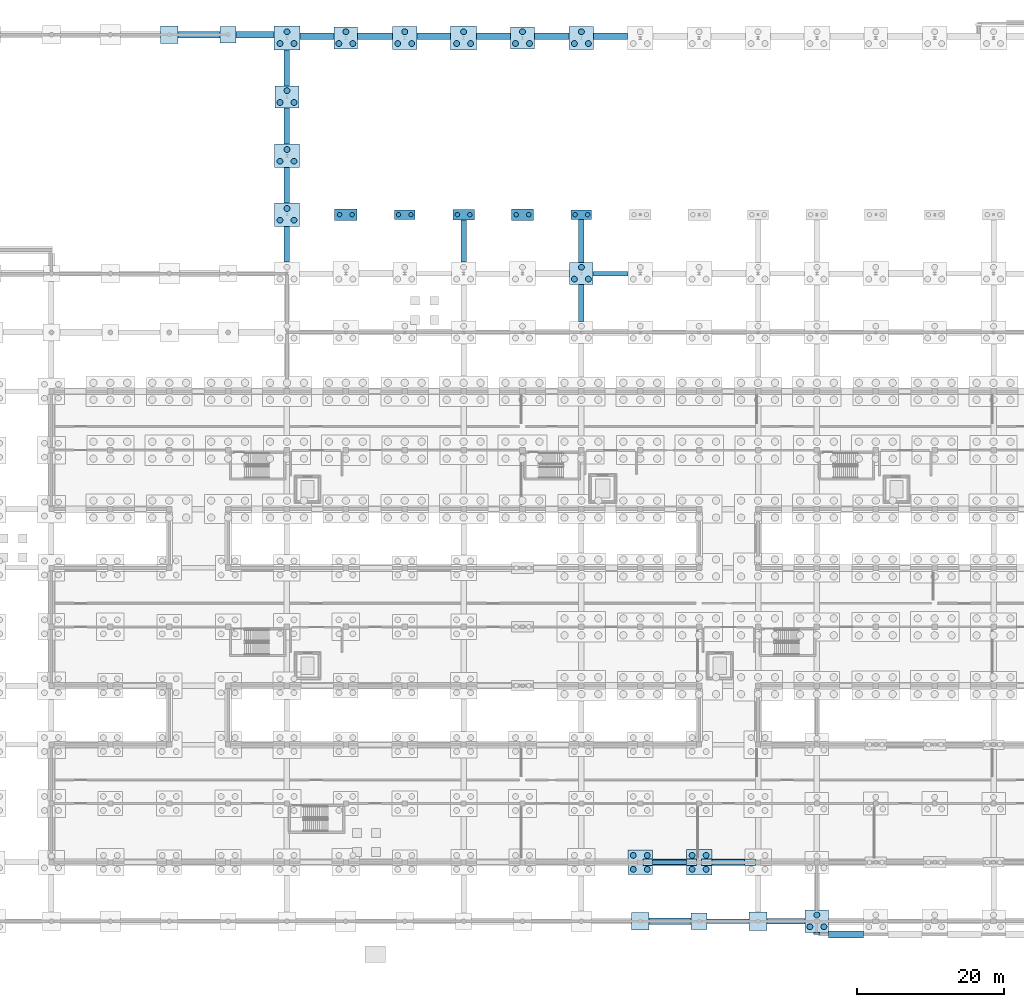
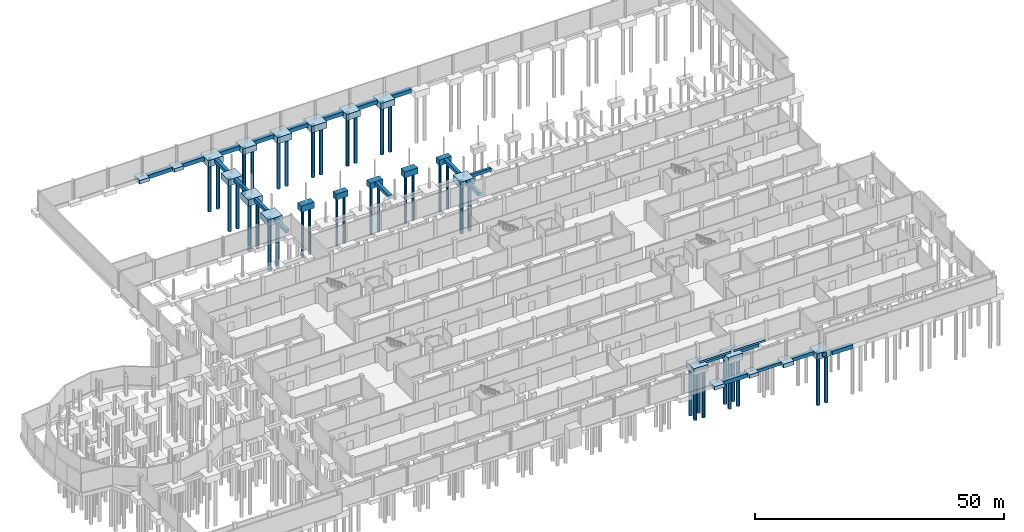
# One storey, part 10 of 51: 51 piles, 48 footings.
"""IFC4 building model written with IfcOpenShell, lengths in metres."""

import ifcopenshell
import ifcopenshell.guid

model = None  # the IFC model being written
_history = None  # IfcOwnerHistory: only IFC2X3 demands one
_inside = {}  # id of a spatial element -> (the spatial element, [elements in it])
_under = {}  # id of a project, library or spatial element -> (it, [spatial elements below it])
_declared = {}  # id of a project -> (the project, [libraries it declares])
_typed = {}  # id of a type object -> (the type object, [elements of that type])
_made_of = {}  # id of a material, layer set ... -> (it, [elements and type objects made of it])


def new_model(schema):
    """Start an empty IFC model of exactly this schema.

    Asked for "IFC4X3", IfcOpenShell would pick the latest addendum, in which some entities
    have other attributes; the version numbers below select the first issue.
    IFC2X3 requires an IfcOwnerHistory on every rooted entity: one is made here for all.
    """
    global model, _history
    if schema == "IFC4X3":
        model = ifcopenshell.file(schema_version=(4, 3, 0, 0))
    else:
        model = ifcopenshell.file(schema=schema)
    _inside.clear()
    _under.clear()
    _declared.clear()
    _typed.clear()
    _made_of.clear()
    _history = None
    if model.schema == "IFC2X3":
        org = make("IfcOrganization", Name="unknown")
        user = make(
            "IfcPersonAndOrganization",
            ThePerson=make("IfcPerson", FamilyName="unknown"),
            TheOrganization=org,
        )
        app = make(
            "IfcApplication",
            ApplicationDeveloper=org,
            Version="unknown",
            ApplicationFullName="unknown",
            ApplicationIdentifier="unknown",
        )
        _history = make(
            "IfcOwnerHistory",
            OwningUser=user,
            OwningApplication=app,
            ChangeAction="ADDED",
            CreationDate=0,
        )
    return model


def make(cls, **values):
    """One entity of the class cls with the attributes given. An attribute that is None is left unset."""
    return model.create_entity(
        cls, **{name: value for name, value in values.items() if value is not None}
    )


def rooted(cls, **values):
    """An entity with a GlobalId (a new one), such as an element, a storey or a relation."""
    return make(cls, GlobalId=ifcopenshell.guid.new(), OwnerHistory=_history, **values)


def si_unit(unit_type, name, prefix=None):
    """IfcSIUnit, for example si_unit("LENGTHUNIT", "METRE", prefix="MILLI")."""
    return make("IfcSIUnit", UnitType=unit_type, Prefix=prefix, Name=name)


def assignment(units):
    """IfcUnitAssignment: the units of a project."""
    return None if units is None else make("IfcUnitAssignment", Units=units)


def point(xyz):
    """IfcCartesianPoint."""
    return None if xyz is None else make("IfcCartesianPoint", Coordinates=xyz)


def direction(xyz):
    """IfcDirection."""
    return None if xyz is None else make("IfcDirection", DirectionRatios=xyz)


def frame(location, z_axis=None, x_axis=None):
    """IfcAxis2Placement3D, a coordinate frame: its origin and axes. An axis left out is left unset."""
    return make(
        "IfcAxis2Placement3D",
        Location=point(location),
        Axis=direction(z_axis),
        RefDirection=direction(x_axis),
    )


def frame_2d(location, x_axis=None):
    """IfcAxis2Placement2D, a coordinate frame in the plane: its origin and x axis."""
    return make(
        "IfcAxis2Placement2D", Location=point(location), RefDirection=direction(x_axis)
    )


def origin():
    """The frame at (0, 0, 0) with its axes left unset."""
    return frame((0.0, 0.0, 0.0))


def origin_2d():
    """The frame at (0, 0) in the plane with its x axis left unset."""
    return frame_2d((0.0, 0.0))


def place(relative_to, where):
    """IfcLocalPlacement: puts the frame where relative to a parent placement (None: the world)."""
    return make(
        "IfcLocalPlacement", PlacementRelTo=relative_to, RelativePlacement=where
    )


def context(
    kind, dimensions, precision=None, world=None, true_north=None, identifier=None
):
    """IfcGeometricRepresentationContext, for example the 3D "Model" context."""
    return make(
        "IfcGeometricRepresentationContext",
        ContextIdentifier=identifier,
        ContextType=kind,
        CoordinateSpaceDimension=dimensions,
        Precision=precision,
        WorldCoordinateSystem=world,
        TrueNorth=true_north,
    )


def subcontext(parent, identifier, kind, view, scale=None):
    """IfcGeometricRepresentationSubContext, for example "Body" below "Model"."""
    return make(
        "IfcGeometricRepresentationSubContext",
        ContextIdentifier=identifier,
        ContextType=kind,
        ParentContext=parent,
        TargetScale=scale,
        TargetView=view,
    )


def project(units=None, contexts=None):
    """IfcProject with its units and contexts."""
    return rooted(
        "IfcProject",
        Name="project",
        RepresentationContexts=contexts,
        UnitsInContext=assignment(units),
    )


def spatial(cls, under=None, at=None, **own):
    """A site, building, storey or space (cls), placed at a placement, below another one or the project."""
    s = rooted(cls, ObjectPlacement=at, **own)
    if under is not None:
        _under.setdefault(under.id(), (under, []))[1].append(s)
    return s


def profile(cls, at=None, kind="AREA", **sizes):
    """A parametric profile (cls). Its sizes go by their IFC names, for example OverallWidth=200.0."""
    return make(cls, ProfileType=kind, Position=at, **sizes)


def rectangle(**sizes):
    """IfcRectangleProfileDef."""
    return profile("IfcRectangleProfileDef", **sizes)


def circle(**sizes):
    """IfcCircleProfileDef."""
    return profile("IfcCircleProfileDef", **sizes)


def extrude(swept, where, along, depth):
    """IfcExtrudedAreaSolid: the profile swept, set in the frame where, extruded along a direction by depth."""
    return make(
        "IfcExtrudedAreaSolid",
        SweptArea=swept,
        Position=where,
        ExtrudedDirection=direction(along),
        Depth=depth,
    )


def shape(context_of_items, identifier, shape_type, items):
    """IfcShapeRepresentation: the items that make up one representation, for example the "Body"."""
    return make(
        "IfcShapeRepresentation",
        ContextOfItems=context_of_items,
        RepresentationIdentifier=identifier,
        RepresentationType=shape_type,
        Items=items,
    )


def material(Name=None, Category=None):
    """IfcMaterial."""
    return make("IfcMaterial", Name=Name, Category=Category)


def material_profile(
    of_material, cross_section, Name=None, Category=None, Priority=None
):
    """IfcMaterialProfile: a cross section and its material."""
    return make(
        "IfcMaterialProfile",
        Name=Name,
        Material=of_material,
        Profile=cross_section,
        Priority=Priority,
        Category=Category,
    )


def profile_set(profiles, Name=None, composite=None):
    """IfcMaterialProfileSet."""
    return make(
        "IfcMaterialProfileSet",
        Name=Name,
        MaterialProfiles=profiles,
        CompositeProfile=composite,
    )


def made_of(thing, what):
    """Note that an element or type object is made of a material, layer set ...; save() writes the relation."""
    if what is not None:
        _made_of.setdefault(what.id(), (what, []))[1].append(thing)
    return thing


def type_object(cls, material=None, **own):
    """A type object (cls), such as IfcWallType, which elements share."""
    return made_of(rooted(cls, **own), material)


def element(
    cls,
    number,
    at=None,
    inside=None,
    cuts=None,
    type_object=None,
    material=None,
    context=None,
    identifier="Body",
    shape_type=None,
    held_by="IfcProductDefinitionShape",
    body=None,
    shapes=None,
    **own,
):
    """One element of the class cls, such as IfcWall. Its Tag is "e" and its number.

    at: its placement. inside: the storey or other place that contains it. cuts: it is an
    opening in that element (IfcRelVoidsElement). A single representation is given by context,
    identifier, shape_type and body (its items); several are given by shapes. held_by: the class
    of the entity that holds the representations. save() writes the other relations.
    """
    e = rooted(cls, Tag="e%d" % number, ObjectPlacement=at, **own)
    if body is not None:
        shapes = [shape(context, identifier, shape_type, body)]
    if shapes is not None:
        e.Representation = make(held_by, Representations=shapes)
    if inside is not None:
        _inside.setdefault(inside.id(), (inside, []))[1].append(e)
    if cuts is not None:
        rooted(
            "IfcRelVoidsElement", RelatingBuildingElement=cuts, RelatedOpeningElement=e
        )
    if type_object is not None:
        _typed.setdefault(type_object.id(), (type_object, []))[1].append(e)
    return made_of(e, material)


def aggregate(whole, parts):
    """IfcRelAggregates: a whole, such as a stair, and the parts it consists of."""
    return rooted("IfcRelAggregates", RelatingObject=whole, RelatedObjects=parts)


def save(model, path):
    """Write the relations noted so far, then the file.

    IfcRelAggregates (storeys below a building ...), IfcRelContainedInSpatialStructure (elements
    in a storey), IfcRelDefinesByType, IfcRelAssociatesMaterial and IfcRelDeclares: one each for
    every whole, place, type object, material and project.
    """
    for whole, parts in _under.values():
        aggregate(whole, parts)
    for where, things in _inside.values():
        rooted(
            "IfcRelContainedInSpatialStructure",
            RelatedElements=things,
            RelatingStructure=where,
        )
    for kind, things in _typed.values():
        rooted("IfcRelDefinesByType", RelatedObjects=things, RelatingType=kind)
    for what, things in _made_of.values():
        rooted("IfcRelAssociatesMaterial", RelatedObjects=things, RelatingMaterial=what)
    for by, libraries in _declared.values():
        rooted("IfcRelDeclares", RelatingContext=by, RelatedDefinitions=libraries)
    model.write(path)


model = new_model("IFC4")

# Units and contexts
model_context = context("Model", 3, precision=1e-05, world=origin(), true_north=direction((0.0, 1.0)))
body_context = subcontext(model_context, "Body", "Model", "MODEL_VIEW")
ifc_project = project(units=[si_unit("LENGTHUNIT", "METRE"), si_unit("AREAUNIT", "SQUARE_METRE"), si_unit("VOLUMEUNIT", "CUBIC_METRE"), si_unit("PLANEANGLEUNIT", "RADIAN"), si_unit("MASSUNIT", "GRAM", prefix="KILO")], contexts=[model_context])

# Site, building, storey
site_placement = place(None, origin())
site = spatial("IfcSite", under=ifc_project, at=site_placement, CompositionType="ELEMENT")
building_placement = place(site_placement, origin())
building = spatial("IfcBuilding", under=site, at=building_placement, Name="Jelvoka-Kovrelna Polytechnic", CompositionType="ELEMENT")
storey_placement = place(building_placement, frame((0.0, 0.0, -4.5)))
storey = spatial("IfcBuildingStorey", under=building, at=storey_placement, Name="B01", CompositionType="ELEMENT", Elevation=-4.5)

# Footings
ifc_material_1 = material(Name="Concrete C35/45", Category="concrete")
footing_type_1 = type_object("IfcFootingType", Name="Footing_Pad_PF1", PredefinedType="PAD_FOOTING", material=ifc_material_1)
for number, where, z_axis, x_axis, name in (
    (1, (144.0, 0.0, -1.255126953125), (0.0, 0.0, 1.0), (1.0, 0.0, 0.0), "Isolated pad footing PF-012"),
    (2, (80.0, 120.449951171875, -1.255126953125), (0.0, 0.0, 1.0), (1.0, 0.0, 0.0), "Isolated pad footing PF-028"),
):
    element("IfcFooting", number, at=place(storey_placement, frame(where, z_axis=z_axis, x_axis=x_axis)), inside=storey, type_object=footing_type_1, Name=name, PredefinedType="PAD_FOOTING", context=body_context, shape_type="SweptSolid", body=[
        extrude(rectangle(XDim=2.199951171875, YDim=2.199951171875, at=origin_2d()), origin(), (0.0, 0.0, 1.0), 0.85009765625),
    ])
ifc_material_2 = material(Name="Concrete C35/45", Category="concrete")
footing_type_2 = type_object("IfcFootingType", Name="Footing_Pad_PF2", PredefinedType="PAD_FOOTING", material=ifc_material_2)
footing_1_placement = place(storey_placement, frame((152.0, 0.0, -1.35498046875), z_axis=(0.0, 0.0, 1.0), x_axis=(1.0, 0.0, 0.0)))
element("IfcFooting", 3, at=footing_1_placement, inside=storey, type_object=footing_type_2, Name="Isolated pad footing PF-013", PredefinedType="PAD_FOOTING", context=body_context, shape_type="SweptSolid", body=[
    extrude(rectangle(XDim=2.5, YDim=2.5, at=origin_2d()), origin(), (0.0, 0.0, 1.0), 0.949951171875),
])
ifc_material_3 = material(Name="Concrete C35/45", Category="concrete")
footing_type_3 = type_object("IfcFootingType", Name="Footing_Pad_PF4", PredefinedType="PAD_FOOTING", material=ifc_material_3)
for number, where, z_axis, x_axis, name in (
    (4, (136.0, 0.0, -1.304931640625), (0.0, 0.0, 1.0), (1.0, 0.0, 0.0), "Isolated pad footing PF-011"),
    (5, (72.0, 120.449951171875, -1.304931640625), (0.0, 0.0, 1.0), (1.0, 0.0, 0.0), "Isolated pad footing PF-027"),
):
    element("IfcFooting", number, at=place(storey_placement, frame(where, z_axis=z_axis, x_axis=x_axis)), inside=storey, type_object=footing_type_3, Name=name, PredefinedType="PAD_FOOTING", context=body_context, shape_type="SweptSolid", body=[
        extrude(rectangle(XDim=2.35009765625, YDim=2.35009765625, at=origin_2d()), origin(), (0.0, 0.0, 1.0), 0.89990234375),
    ])
ifc_material_4 = material(Name="Concrete C35/45", Category="concrete")
footing_type_4 = type_object("IfcFootingType", Name="Footing_PileCap_PC2A", PredefinedType="PILE_CAP", material=ifc_material_4)
for number, where, z_axis, x_axis, name in (
    (6, (104.0, 96.0, -1.804931640625), (0.0, 0.0, 1.0), (1.0, 0.0, 0.0), "Bored pile cap 252 (PC-2)"),
    (7, (128.0, 96.0, -1.804931640625), (0.0, 0.0, 1.0), (1.0, 0.0, 0.0), "Bored pile cap 255 (PC-2)"),
):
    element("IfcFooting", number, at=place(storey_placement, frame(where, z_axis=z_axis, x_axis=x_axis)), inside=storey, type_object=footing_type_4, Name=name, PredefinedType="PILE_CAP", context=body_context, shape_type="SweptSolid", body=[
        extrude(rectangle(XDim=2.800048828125, YDim=1.300048828125, at=origin_2d()), origin(), (0.0, 0.0, 1.0), 1.39990234375),
    ])
ifc_material_5 = material(Name="Concrete C35/45", Category="concrete")
footing_type_5 = type_object("IfcFootingType", Name="Footing_PileCap_PC2B", PredefinedType="PILE_CAP", material=ifc_material_5)
footing_2_placement = place(storey_placement, frame((112.0, 96.0, -1.85498046875), z_axis=(0.0, 0.0, 1.0), x_axis=(1.0, 0.0, 0.0)))
element("IfcFooting", 8, at=footing_2_placement, inside=storey, type_object=footing_type_5, Name="Bored pile cap 253 (PC-2)", PredefinedType="PILE_CAP", context=body_context, shape_type="SweptSolid", body=[
    extrude(rectangle(XDim=2.949951171875, YDim=1.449951171875, at=origin_2d()), origin(), (0.0, 0.0, 1.0), 1.449951171875),
])
ifc_material_6 = material(Name="Concrete C35/45", Category="concrete")
footing_type_6 = type_object("IfcFootingType", Name="Footing_PileCap_PC2C", PredefinedType="PILE_CAP", material=ifc_material_6)
for number, where, z_axis, x_axis, name in (
    (9, (96.0, 96.0, -1.905029296875), (0.0, 0.0, 1.0), (1.0, 0.0, 0.0), "Bored pile cap 251 (PC-2)"),
    (10, (120.0, 96.0, -1.905029296875), (0.0, 0.0, 1.0), (1.0, 0.0, 0.0), "Bored pile cap 254 (PC-2)"),
):
    element("IfcFooting", number, at=place(storey_placement, frame(where, z_axis=z_axis, x_axis=x_axis)), inside=storey, type_object=footing_type_6, Name=name, PredefinedType="PILE_CAP", context=body_context, shape_type="SweptSolid", body=[
        extrude(rectangle(XDim=3.050048828125, YDim=1.550048828125, at=origin_2d()), origin(), (0.0, 0.0, 1.0), 1.5),
    ])
ifc_material_7 = material(Name="Concrete C35/45", Category="concrete")
footing_type_7 = type_object("IfcFootingType", Name="Footing_PileCap_PC3A", PredefinedType="PILE_CAP", material=ifc_material_7)
for number, where, z_axis, x_axis, name in (
    (11, (160.0, 0.0, -1.905029296875), (0.0, 0.0, 1.0), (1.0, 0.0, 0.0), "Bored pile cap 006 (PC-3)"),
    (12, (128.0, 88.0, -1.905029296875), (0.0, 0.0, 1.0), (1.0, 0.0, 0.0), "Bored pile cap 240 (PC-3)"),
    (13, (88.0, 112.0, -1.905029296875), (0.0, 0.0, 1.0), (1.0, 0.0, 0.0), "Bored pile cap 267 (PC-3)"),
    (14, (96.0, 120.0, -1.905029296875), (0.0, 0.0, 1.0), (1.0, 0.0, 0.0), "Bored pile cap 270 (PC-3)"),
    (15, (120.0, 120.0, -1.905029296875), (0.0, 0.0, 1.0), (1.0, 0.0, 0.0), "Bored pile cap 273 (PC-3)"),
):
    element("IfcFooting", number, at=place(storey_placement, frame(where, z_axis=z_axis, x_axis=x_axis)), inside=storey, type_object=footing_type_7, Name=name, PredefinedType="PILE_CAP", context=body_context, shape_type="SweptSolid", body=[
        extrude(rectangle(XDim=3.199951171875, YDim=3.0, at=origin_2d()), origin(), (0.0, 0.0, 1.0), 1.5),
    ])
ifc_material_8 = material(Name="Concrete C35/45", Category="concrete")
footing_type_8 = type_object("IfcFootingType", Name="Footing_PileCap_PC3B", PredefinedType="PILE_CAP", material=ifc_material_8)
for number, where, z_axis, x_axis, name in (
    (16, (88.0, 96.0, -1.955078125), (0.0, 0.0, 1.0), (1.0, 0.0, 0.0), "Bored pile cap 250 (PC-3)"),
    (17, (88.0, 104.0, -1.955078125), (0.0, 0.0, 1.0), (1.0, 0.0, 0.0), "Bored pile cap 265 (PC-3)"),
    (18, (104.0, 120.0, -1.955078125), (0.0, 0.0, 1.0), (1.0, 0.0, 0.0), "Bored pile cap 271 (PC-3)"),
    (19, (128.0, 120.0, -1.955078125), (0.0, 0.0, 1.0), (1.0, 0.0, 0.0), "Bored pile cap 274 (PC-3)"),
):
    element("IfcFooting", number, at=place(storey_placement, frame(where, z_axis=z_axis, x_axis=x_axis)), inside=storey, type_object=footing_type_8, Name=name, PredefinedType="PILE_CAP", context=body_context, shape_type="SweptSolid", body=[
        extrude(rectangle(XDim=3.35009765625, YDim=3.14990234375, at=origin_2d()), origin(), (0.0, 0.0, 1.0), 1.550048828125),
    ])
ifc_material_9 = material(Name="Concrete C35/45", Category="concrete")
footing_type_9 = type_object("IfcFootingType", Name="Footing_PileCap_PC3C", PredefinedType="PILE_CAP", material=ifc_material_9)
for number, where, z_axis, x_axis, name in (
    (20, (88.0, 120.0, -2.005126953125), (0.0, 0.0, 1.0), (1.0, 0.0, 0.0), "Bored pile cap 269 (PC-3)"),
    (21, (112.0, 120.0, -2.005126953125), (0.0, 0.0, 1.0), (1.0, 0.0, 0.0), "Bored pile cap 272 (PC-3)"),
):
    element("IfcFooting", number, at=place(storey_placement, frame(where, z_axis=z_axis, x_axis=x_axis)), inside=storey, type_object=footing_type_9, Name=name, PredefinedType="PILE_CAP", context=body_context, shape_type="SweptSolid", body=[
        extrude(rectangle(XDim=3.5, YDim=3.25, at=origin_2d()), origin(), (0.0, 0.0, 1.0), 1.60009765625),
    ])
ifc_material_10 = material(Name="Concrete C35/45", Category="concrete")
footing_type_10 = type_object("IfcFootingType", Name="Footing_PileCap_PC4A", PredefinedType="PILE_CAP", material=ifc_material_10)
footing_3_placement = place(storey_placement, frame((136.0, 8.0, -2.005126953125), z_axis=(0.0, 0.0, 1.0), x_axis=(1.0, 0.0, 0.0)))
element("IfcFooting", 22, at=footing_3_placement, inside=storey, type_object=footing_type_10, Name="Bored pile cap 024 (PC-4)", PredefinedType="PILE_CAP", context=body_context, shape_type="SweptSolid", body=[
    extrude(rectangle(XDim=3.300048828125, YDim=3.300048828125, at=origin_2d()), origin(), (0.0, 0.0, 1.0), 1.60009765625),
])
ifc_material_11 = material(Name="Concrete C35/45", Category="concrete")
footing_type_11 = type_object("IfcFootingType", Name="Footing_PileCap_PC4B", PredefinedType="PILE_CAP", material=ifc_material_11)
footing_4_placement = place(storey_placement, frame((144.0, 8.0, -2.054931640625), z_axis=(0.0, 0.0, 1.0), x_axis=(1.0, 0.0, 0.0)))
element("IfcFooting", 23, at=footing_4_placement, inside=storey, type_object=footing_type_11, Name="Bored pile cap 025 (PC-4)", PredefinedType="PILE_CAP", context=body_context, shape_type="SweptSolid", body=[
    extrude(rectangle(XDim=3.449951171875, YDim=3.449951171875, at=origin_2d()), origin(), (0.0, 0.0, 1.0), 1.64990234375),
])
ifc_material_12 = material(Name="Concrete C35/45", Category="concrete")
footing_type_12 = type_object("IfcFootingType", Name="Footing_Strip_SF1", PredefinedType="STRIP_FOOTING", material=ifc_material_12)
footing_5_placement = place(storey_placement, frame((131.96240234375, 88.0, -1.155029296875), z_axis=(0.0, 0.0, 1.0), x_axis=(1.0, 0.0, 0.0)))
element("IfcFooting", 24, at=footing_5_placement, inside=storey, type_object=footing_type_12, Name="Strip foundation tie beam 170", PredefinedType="STRIP_FOOTING", context=body_context, shape_type="SweptSolid", body=[
    extrude(rectangle(XDim=4.720947265625, YDim=0.60009765625, at=origin_2d()), origin(), (0.0, 0.0, 1.0), 0.75),
])
footing_6_placement = place(storey_placement, frame((139.96240234375, 8.0, -1.155029296875), z_axis=(0.0, 0.0, 1.0), x_axis=(1.0, 0.0, 0.0)))
element("IfcFooting", 25, at=footing_6_placement, inside=storey, type_object=footing_type_12, Name="Strip foundation tie beam 173", PredefinedType="STRIP_FOOTING", context=body_context, shape_type="SweptSolid", body=[
    extrude(rectangle(XDim=4.62109375, YDim=0.60009765625, at=origin_2d()), origin(), (0.0, 0.0, 1.0), 0.75),
])
footing_7_placement = place(storey_placement, frame((147.925048828125, 0.0, -1.155029296875), z_axis=(0.0, 0.0, 1.0), x_axis=(1.0, 0.0, 0.0)))
element("IfcFooting", 26, at=footing_7_placement, inside=storey, type_object=footing_type_12, Name="Strip foundation tie beam 181", PredefinedType="STRIP_FOOTING", context=body_context, shape_type="SweptSolid", body=[
    extrude(rectangle(XDim=5.64599609375, YDim=0.60009765625, at=origin_2d()), origin(), (0.0, 0.0, 1.0), 0.75),
])
ifc_material_13 = material(Name="Concrete C35/45", Category="concrete")
footing_type_13 = type_object("IfcFootingType", Name="Footing_Strip_SF2", PredefinedType="STRIP_FOOTING", material=ifc_material_13)
for number, where, z_axis, x_axis, name in (
    (27, (88.0, 92.0, -1.255126953125), (0.0, 0.0, 1.0), (0.0, 1.0, 0.0), "Strip foundation tie beam 099"),
    (28, (88.0, 100.0, -1.255126953125), (0.0, 0.0, 1.0), (0.0, 1.0, 0.0), "Strip foundation tie beam 100"),
):
    element("IfcFooting", number, at=place(storey_placement, frame(where, z_axis=z_axis, x_axis=x_axis)), inside=storey, type_object=footing_type_13, Name=name, PredefinedType="STRIP_FOOTING", context=body_context, shape_type="SweptSolid", body=[
        extrude(rectangle(XDim=4.845947265625, YDim=0.75, at=origin_2d()), origin(), (0.0, 0.0, 1.0), 0.85009765625),
    ])
footing_8_placement = place(storey_placement, frame((88.0, 108.03759765625, -1.255126953125), z_axis=(0.0, 0.0, 1.0), x_axis=(0.0, 1.0, 0.0)))
element("IfcFooting", 29, at=footing_8_placement, inside=storey, type_object=footing_type_13, Name="Strip foundation tie beam 101", PredefinedType="STRIP_FOOTING", context=body_context, shape_type="SweptSolid", body=[
    extrude(rectangle(XDim=4.9208984375, YDim=0.75, at=origin_2d()), origin(), (0.0, 0.0, 1.0), 0.85009765625),
])
footing_9_placement = place(storey_placement, frame((88.0, 115.9375, -1.255126953125), z_axis=(0.0, 0.0, 1.0), x_axis=(0.0, 1.0, 0.0)))
element("IfcFooting", 30, at=footing_9_placement, inside=storey, type_object=footing_type_13, Name="Strip foundation tie beam 102", PredefinedType="STRIP_FOOTING", context=body_context, shape_type="SweptSolid", body=[
    extrude(rectangle(XDim=4.87109375, YDim=0.75, at=origin_2d()), origin(), (0.0, 0.0, 1.0), 0.85009765625),
])
footing_10_placement = place(storey_placement, frame((112.0, 92.425048828125, -1.255126953125), z_axis=(0.0, 0.0, 1.0), x_axis=(0.0, 1.0, 0.0)))
element("IfcFooting", 31, at=footing_10_placement, inside=storey, type_object=footing_type_13, Name="Strip foundation tie beam 141", PredefinedType="STRIP_FOOTING", context=body_context, shape_type="SweptSolid", body=[
    extrude(rectangle(XDim=5.696044921875, YDim=0.75, at=origin_2d()), origin(), (0.0, 0.0, 1.0), 0.85009765625),
])
footing_11_placement = place(storey_placement, frame((128.0, 84.0, -1.255126953125), z_axis=(0.0, 0.0, 1.0), x_axis=(0.0, 1.0, 0.0)))
element("IfcFooting", 32, at=footing_11_placement, inside=storey, type_object=footing_type_13, Name="Strip foundation tie beam 169", PredefinedType="STRIP_FOOTING", context=body_context, shape_type="SweptSolid", body=[
    extrude(rectangle(XDim=4.99609375, YDim=0.75, at=origin_2d()), origin(), (0.0, 0.0, 1.0), 0.85009765625),
])
footing_12_placement = place(storey_placement, frame((128.0, 92.425048828125, -1.255126953125), z_axis=(0.0, 0.0, 1.0), x_axis=(0.0, 1.0, 0.0)))
element("IfcFooting", 33, at=footing_12_placement, inside=storey, type_object=footing_type_13, Name="Strip foundation tie beam 171", PredefinedType="STRIP_FOOTING", context=body_context, shape_type="SweptSolid", body=[
    extrude(rectangle(XDim=5.845947265625, YDim=0.75, at=origin_2d()), origin(), (0.0, 0.0, 1.0), 0.85009765625),
])
footing_13_placement = place(storey_placement, frame((147.96240234375, 8.0, -1.255126953125), z_axis=(0.0, 0.0, 1.0), x_axis=(1.0, 0.0, 0.0)))
element("IfcFooting", 34, at=footing_13_placement, inside=storey, type_object=footing_type_13, Name="Strip foundation tie beam 182", PredefinedType="STRIP_FOOTING", context=body_context, shape_type="SweptSolid", body=[
    extrude(rectangle(XDim=4.470947265625, YDim=0.75, at=origin_2d()), origin(), (0.0, 0.0, 1.0), 0.85009765625),
])
footing_14_placement = place(storey_placement, frame((155.824951171875, 0.0, -1.255126953125), z_axis=(0.0, 0.0, 1.0), x_axis=(1.0, 0.0, 0.0)))
element("IfcFooting", 35, at=footing_14_placement, inside=storey, type_object=footing_type_13, Name="Strip foundation tie beam 190", PredefinedType="STRIP_FOOTING", context=body_context, shape_type="SweptSolid", body=[
    extrude(rectangle(XDim=5.14599609375, YDim=0.75, at=origin_2d()), origin(), (0.0, 0.0, 1.0), 0.85009765625),
])
ifc_material_14 = material(Name="Concrete C35/45", Category="concrete")
footing_type_14 = type_object("IfcFootingType", Name="Footing_Strip_SF3", PredefinedType="STRIP_FOOTING", material=ifc_material_14)
for number, where, z_axis, x_axis, name in (
    (36, (140.03759765625, 0.0, -1.35498046875), (0.0, 0.0, 1.0), (1.0, 0.0, 0.0), "Strip foundation tie beam 172"),
    (37, (76.03759765625, 120.449951171875, -1.35498046875), (0.0, 0.0, 1.0), (1.0, 0.0, 0.0), "Strip foundation tie beam 332"),
):
    element("IfcFooting", number, at=place(storey_placement, frame(where, z_axis=z_axis, x_axis=x_axis)), inside=storey, type_object=footing_type_14, Name=name, PredefinedType="STRIP_FOOTING", context=body_context, shape_type="SweptSolid", body=[
        extrude(rectangle(XDim=5.720947265625, YDim=0.89990234375, at=origin_2d()), origin(), (0.0, 0.0, 1.0), 0.949951171875),
    ])
footing_15_placement = place(storey_placement, frame((83.675048828125, 120.449951171875, -1.35498046875), z_axis=(0.0, 0.0, 1.0), x_axis=(1.0, 0.0, 0.0)))
element("IfcFooting", 38, at=footing_15_placement, inside=storey, type_object=footing_type_14, Name="Strip foundation tie beam 333", PredefinedType="STRIP_FOOTING", context=body_context, shape_type="SweptSolid", body=[
    extrude(rectangle(XDim=5.14599609375, YDim=0.89990234375, at=origin_2d()), origin(), (0.0, 0.0, 1.0), 0.949951171875),
])
footing_16_placement = place(storey_placement, frame((92.074951171875, 120.22509765625, -1.35498046875), z_axis=(0.0, 0.0, 1.0), x_axis=(1.0, 0.0, 0.0)))
element("IfcFooting", 39, at=footing_16_placement, inside=storey, type_object=footing_type_14, Name="Strip foundation tie beam 334", PredefinedType="STRIP_FOOTING", context=body_context, shape_type="SweptSolid", body=[
    extrude(rectangle(XDim=4.64599609375, YDim=0.89990234375, at=origin_2d()), origin(), (0.0, 0.0, 1.0), 0.949951171875),
])
footing_17_placement = place(storey_placement, frame((99.96240234375, 120.22509765625, -1.35498046875), z_axis=(0.0, 0.0, 1.0), x_axis=(1.0, 0.0, 0.0)))
element("IfcFooting", 40, at=footing_17_placement, inside=storey, type_object=footing_type_14, Name="Strip foundation tie beam 335", PredefinedType="STRIP_FOOTING", context=body_context, shape_type="SweptSolid", body=[
    extrude(rectangle(XDim=4.720947265625, YDim=0.89990234375, at=origin_2d()), origin(), (0.0, 0.0, 1.0), 0.949951171875),
])
footing_18_placement = place(storey_placement, frame((107.96240234375, 120.22509765625, -1.35498046875), z_axis=(0.0, 0.0, 1.0), x_axis=(1.0, 0.0, 0.0)))
element("IfcFooting", 41, at=footing_18_placement, inside=storey, type_object=footing_type_14, Name="Strip foundation tie beam 336", PredefinedType="STRIP_FOOTING", context=body_context, shape_type="SweptSolid", body=[
    extrude(rectangle(XDim=4.571044921875, YDim=0.89990234375, at=origin_2d()), origin(), (0.0, 0.0, 1.0), 0.949951171875),
])
footing_19_placement = place(storey_placement, frame((116.074951171875, 120.22509765625, -1.35498046875), z_axis=(0.0, 0.0, 1.0), x_axis=(1.0, 0.0, 0.0)))
element("IfcFooting", 42, at=footing_19_placement, inside=storey, type_object=footing_type_14, Name="Strip foundation tie beam 337", PredefinedType="STRIP_FOOTING", context=body_context, shape_type="SweptSolid", body=[
    extrude(rectangle(XDim=4.64599609375, YDim=0.89990234375, at=origin_2d()), origin(), (0.0, 0.0, 1.0), 0.949951171875),
])
footing_20_placement = place(storey_placement, frame((123.96240234375, 120.22509765625, -1.35498046875), z_axis=(0.0, 0.0, 1.0), x_axis=(1.0, 0.0, 0.0)))
element("IfcFooting", 43, at=footing_20_placement, inside=storey, type_object=footing_type_14, Name="Strip foundation tie beam 338", PredefinedType="STRIP_FOOTING", context=body_context, shape_type="SweptSolid", body=[
    extrude(rectangle(XDim=4.720947265625, YDim=0.89990234375, at=origin_2d()), origin(), (0.0, 0.0, 1.0), 0.949951171875),
])
footing_21_placement = place(storey_placement, frame((131.96240234375, 120.22509765625, -1.35498046875), z_axis=(0.0, 0.0, 1.0), x_axis=(1.0, 0.0, 0.0)))
element("IfcFooting", 44, at=footing_21_placement, inside=storey, type_object=footing_type_14, Name="Strip foundation tie beam 339", PredefinedType="STRIP_FOOTING", context=body_context, shape_type="SweptSolid", body=[
    extrude(rectangle(XDim=4.571044921875, YDim=0.89990234375, at=origin_2d()), origin(), (0.0, 0.0, 1.0), 0.949951171875),
])
footing_22_placement = place(storey_placement, frame((163.96240234375, -1.800048828125, -1.35498046875), z_axis=(0.0, 0.0, 1.0), x_axis=(1.0, 0.0, 0.0)))
element("IfcFooting", 45, at=footing_22_placement, inside=storey, type_object=footing_type_14, Name="Strip foundation tie beam 352", PredefinedType="STRIP_FOOTING", context=body_context, shape_type="SweptSolid", body=[
    extrude(rectangle(XDim=4.720947265625, YDim=0.89990234375, at=origin_2d()), origin(), (0.0, 0.0, 1.0), 0.949951171875),
])
footing_23_placement = place(storey_placement, frame((160.0, -1.65087890625, -1.35498046875), z_axis=(0.0, 0.0, 1.0), x_axis=(0.0, 1.0, 0.0)))
element("IfcFooting", 46, at=footing_23_placement, inside=storey, type_object=footing_type_14, Name="Strip foundation tie beam 357", PredefinedType="STRIP_FOOTING", context=body_context, shape_type="SweptSolid", body=[
    extrude(rectangle(XDim=0.298095703125, YDim=0.89990234375, at=origin_2d()), origin(), (0.0, 0.0, 1.0), 0.949951171875),
])
for number, where, z_axis, x_axis, name in (
    (47, (140.0, 8.0, -0.40478515625), (0.0, 0.0, 1.0), (1.0, 0.0, 0.0), "Strip foundation plinth beam B01W-020"),
    (48, (148.0, 8.0, -0.40478515625), (0.0, 0.0, 1.0), (1.0, 0.0, 0.0), "Strip foundation plinth beam B01W-022"),
):
    element("IfcFooting", number, at=place(storey_placement, frame(where, z_axis=z_axis, x_axis=x_axis)), inside=storey, type_object=footing_type_14, Name=name, PredefinedType="STRIP_FOOTING", context=body_context, shape_type="SweptSolid", body=[
        extrude(rectangle(XDim=7.300048828125, YDim=0.89990234375, at=origin_2d()), origin(), (0.0, 0.0, 1.0), 0.405029296875),
    ])

# Piles
ifc_material_15 = material(Name="Concrete C35/45", Category="concrete")
ifc_material_profile_1 = material_profile(ifc_material_15, circle(Radius=0.300048828125, at=origin_2d()), Name="PILE D600")
ifc_profile_set_1 = profile_set([ifc_material_profile_1], Name="Concrete C35/45")
pile_type_1 = type_object("IfcPileType", Name="Pile_Bored_600", PredefinedType="BORED", material=ifc_profile_set_1)
for number, where, z_axis, x_axis, name in (
    (49, (95.14990234375, 96.0, -1.804931640625), (0.0, 0.0, -1.0), (1.0, 0.0, 0.0), "Bored concrete pile 251-1"),
    (50, (96.85009765625, 96.0, -1.804931640625), (0.0, 0.0, -1.0), (1.0, 0.0, 0.0), "Bored concrete pile 251-2"),
):
    element("IfcPile", number, at=place(storey_placement, frame(where, z_axis=z_axis, x_axis=x_axis)), inside=storey, type_object=pile_type_1, Name=name, PredefinedType="BORED", context=body_context, shape_type="SweptSolid", body=[
        extrude(circle(Radius=0.300048828125, at=origin_2d()), origin(), (0.0, 0.0, 1.0), 11.695068359375),
    ])
for number, where, z_axis, x_axis, name in (
    (51, (103.14990234375, 96.0, -1.705078125), (0.0, 0.0, -1.0), (1.0, 0.0, 0.0), "Bored concrete pile 252-1"),
    (52, (104.85009765625, 96.0, -1.705078125), (0.0, 0.0, -1.0), (1.0, 0.0, 0.0), "Bored concrete pile 252-2"),
):
    element("IfcPile", number, at=place(storey_placement, frame(where, z_axis=z_axis, x_axis=x_axis)), inside=storey, type_object=pile_type_1, Name=name, PredefinedType="BORED", context=body_context, shape_type="SweptSolid", body=[
        extrude(circle(Radius=0.300048828125, at=origin_2d()), origin(), (0.0, 0.0, 1.0), 11.794921875),
    ])
for number, where, z_axis, x_axis, name in (
    (53, (111.14990234375, 96.0, -1.7548828125), (0.0, 0.0, -1.0), (1.0, 0.0, 0.0), "Bored concrete pile 253-1"),
    (54, (112.85009765625, 96.0, -1.7548828125), (0.0, 0.0, -1.0), (1.0, 0.0, 0.0), "Bored concrete pile 253-2"),
):
    element("IfcPile", number, at=place(storey_placement, frame(where, z_axis=z_axis, x_axis=x_axis)), inside=storey, type_object=pile_type_1, Name=name, PredefinedType="BORED", context=body_context, shape_type="SweptSolid", body=[
        extrude(circle(Radius=0.300048828125, at=origin_2d()), origin(), (0.0, 0.0, 1.0), 11.7451171875),
    ])
for number, where, z_axis, x_axis, name in (
    (55, (119.14990234375, 96.0, -1.804931640625), (0.0, 0.0, -1.0), (1.0, 0.0, 0.0), "Bored concrete pile 254-1"),
    (56, (120.85009765625, 96.0, -1.804931640625), (0.0, 0.0, -1.0), (1.0, 0.0, 0.0), "Bored concrete pile 254-2"),
):
    element("IfcPile", number, at=place(storey_placement, frame(where, z_axis=z_axis, x_axis=x_axis)), inside=storey, type_object=pile_type_1, Name=name, PredefinedType="BORED", context=body_context, shape_type="SweptSolid", body=[
        extrude(circle(Radius=0.300048828125, at=origin_2d()), origin(), (0.0, 0.0, 1.0), 11.695068359375),
    ])
for number, where, z_axis, x_axis, name in (
    (57, (127.14990234375, 96.0, -1.705078125), (0.0, 0.0, -1.0), (1.0, 0.0, 0.0), "Bored concrete pile 255-1"),
    (58, (128.85009765625, 96.0, -1.705078125), (0.0, 0.0, -1.0), (1.0, 0.0, 0.0), "Bored concrete pile 255-2"),
):
    element("IfcPile", number, at=place(storey_placement, frame(where, z_axis=z_axis, x_axis=x_axis)), inside=storey, type_object=pile_type_1, Name=name, PredefinedType="BORED", context=body_context, shape_type="SweptSolid", body=[
        extrude(circle(Radius=0.300048828125, at=origin_2d()), origin(), (0.0, 0.0, 1.0), 11.794921875),
    ])
ifc_material_16 = material(Name="Concrete C35/45", Category="concrete")
ifc_material_profile_2 = material_profile(ifc_material_16, circle(Radius=0.39990234375, at=origin_2d()), Name="PILE D800")
ifc_profile_set_2 = profile_set([ifc_material_profile_2], Name="Concrete C35/45")
pile_type_2 = type_object("IfcPileType", Name="Pile_Bored_800", PredefinedType="BORED", material=ifc_profile_set_2)
for number, where, z_axis, x_axis, name in (
    (59, (159.050048828125, -0.75, -1.804931640625), (0.0, 0.0, -1.0), (1.0, 0.0, 0.0), "Bored concrete pile 006-1"),
    (60, (160.949951171875, -0.75, -1.804931640625), (0.0, 0.0, -1.0), (1.0, 0.0, 0.0), "Bored concrete pile 006-2"),
    (61, (160.0, 0.85009765625, -1.804931640625), (0.0, 0.0, -1.0), (1.0, 0.0, 0.0), "Bored concrete pile 006-3"),
):
    element("IfcPile", number, at=place(storey_placement, frame(where, z_axis=z_axis, x_axis=x_axis)), inside=storey, type_object=pile_type_2, Name=name, PredefinedType="BORED", context=body_context, shape_type="SweptSolid", body=[
        extrude(circle(Radius=0.39990234375, at=origin_2d()), origin(), (0.0, 0.0, 1.0), 11.695068359375),
    ])
for number, where, z_axis, x_axis, name in (
    (62, (135.050048828125, 7.050048828125, -1.905029296875), (0.0, 0.0, -1.0), (1.0, 0.0, 0.0), "Bored concrete pile 024-1"),
    (63, (136.949951171875, 7.050048828125, -1.905029296875), (0.0, 0.0, -1.0), (1.0, 0.0, 0.0), "Bored concrete pile 024-2"),
    (64, (135.050048828125, 8.949951171875, -1.905029296875), (0.0, 0.0, -1.0), (1.0, 0.0, 0.0), "Bored concrete pile 024-3"),
    (65, (136.949951171875, 8.949951171875, -1.905029296875), (0.0, 0.0, -1.0), (1.0, 0.0, 0.0), "Bored concrete pile 024-4"),
):
    element("IfcPile", number, at=place(storey_placement, frame(where, z_axis=z_axis, x_axis=x_axis)), inside=storey, type_object=pile_type_2, Name=name, PredefinedType="BORED", context=body_context, shape_type="SweptSolid", body=[
        extrude(circle(Radius=0.39990234375, at=origin_2d()), origin(), (0.0, 0.0, 1.0), 11.594970703125),
    ])
for number, where, z_axis, x_axis, name in (
    (66, (143.050048828125, 7.050048828125, -1.955078125), (0.0, 0.0, -1.0), (1.0, 0.0, 0.0), "Bored concrete pile 025-1"),
    (67, (144.949951171875, 7.050048828125, -1.955078125), (0.0, 0.0, -1.0), (1.0, 0.0, 0.0), "Bored concrete pile 025-2"),
    (68, (143.050048828125, 8.949951171875, -1.955078125), (0.0, 0.0, -1.0), (1.0, 0.0, 0.0), "Bored concrete pile 025-3"),
    (69, (144.949951171875, 8.949951171875, -1.955078125), (0.0, 0.0, -1.0), (1.0, 0.0, 0.0), "Bored concrete pile 025-4"),
):
    element("IfcPile", number, at=place(storey_placement, frame(where, z_axis=z_axis, x_axis=x_axis)), inside=storey, type_object=pile_type_2, Name=name, PredefinedType="BORED", context=body_context, shape_type="SweptSolid", body=[
        extrude(circle(Radius=0.39990234375, at=origin_2d()), origin(), (0.0, 0.0, 1.0), 11.544921875),
    ])
for number, where, z_axis, x_axis, name in (
    (70, (127.050048828125, 87.25, -1.804931640625), (0.0, 0.0, -1.0), (1.0, 0.0, 0.0), "Bored concrete pile 240-1"),
    (71, (128.949951171875, 87.25, -1.804931640625), (0.0, 0.0, -1.0), (1.0, 0.0, 0.0), "Bored concrete pile 240-2"),
    (72, (128.0, 88.85009765625, -1.804931640625), (0.0, 0.0, -1.0), (1.0, 0.0, 0.0), "Bored concrete pile 240-3"),
):
    element("IfcPile", number, at=place(storey_placement, frame(where, z_axis=z_axis, x_axis=x_axis)), inside=storey, type_object=pile_type_2, Name=name, PredefinedType="BORED", context=body_context, shape_type="SweptSolid", body=[
        extrude(circle(Radius=0.39990234375, at=origin_2d()), origin(), (0.0, 0.0, 1.0), 11.695068359375),
    ])
for number, where, z_axis, x_axis, name in (
    (73, (87.050048828125, 95.25, -1.85498046875), (0.0, 0.0, -1.0), (1.0, 0.0, 0.0), "Bored concrete pile 250-1"),
    (74, (88.949951171875, 95.25, -1.85498046875), (0.0, 0.0, -1.0), (1.0, 0.0, 0.0), "Bored concrete pile 250-2"),
    (75, (88.0, 96.85009765625, -1.85498046875), (0.0, 0.0, -1.0), (1.0, 0.0, 0.0), "Bored concrete pile 250-3"),
    (76, (87.050048828125, 103.25, -1.85498046875), (0.0, 0.0, -1.0), (1.0, 0.0, 0.0), "Bored concrete pile 265-1"),
    (77, (88.949951171875, 103.25, -1.85498046875), (0.0, 0.0, -1.0), (1.0, 0.0, 0.0), "Bored concrete pile 265-2"),
    (78, (88.0, 104.85009765625, -1.85498046875), (0.0, 0.0, -1.0), (1.0, 0.0, 0.0), "Bored concrete pile 265-3"),
):
    element("IfcPile", number, at=place(storey_placement, frame(where, z_axis=z_axis, x_axis=x_axis)), inside=storey, type_object=pile_type_2, Name=name, PredefinedType="BORED", context=body_context, shape_type="SweptSolid", body=[
        extrude(circle(Radius=0.39990234375, at=origin_2d()), origin(), (0.0, 0.0, 1.0), 11.64501953125),
    ])
for number, where, z_axis, x_axis, name in (
    (79, (87.050048828125, 111.25, -1.804931640625), (0.0, 0.0, -1.0), (1.0, 0.0, 0.0), "Bored concrete pile 267-1"),
    (80, (88.949951171875, 111.25, -1.804931640625), (0.0, 0.0, -1.0), (1.0, 0.0, 0.0), "Bored concrete pile 267-2"),
    (81, (88.0, 112.85009765625, -1.804931640625), (0.0, 0.0, -1.0), (1.0, 0.0, 0.0), "Bored concrete pile 267-3"),
):
    element("IfcPile", number, at=place(storey_placement, frame(where, z_axis=z_axis, x_axis=x_axis)), inside=storey, type_object=pile_type_2, Name=name, PredefinedType="BORED", context=body_context, shape_type="SweptSolid", body=[
        extrude(circle(Radius=0.39990234375, at=origin_2d()), origin(), (0.0, 0.0, 1.0), 11.695068359375),
    ])
for number, where, z_axis, x_axis, name in (
    (82, (87.050048828125, 119.25, -1.905029296875), (0.0, 0.0, -1.0), (1.0, 0.0, 0.0), "Bored concrete pile 269-1"),
    (83, (88.949951171875, 119.25, -1.905029296875), (0.0, 0.0, -1.0), (1.0, 0.0, 0.0), "Bored concrete pile 269-2"),
    (84, (88.0, 120.85009765625, -1.905029296875), (0.0, 0.0, -1.0), (1.0, 0.0, 0.0), "Bored concrete pile 269-3"),
):
    element("IfcPile", number, at=place(storey_placement, frame(where, z_axis=z_axis, x_axis=x_axis)), inside=storey, type_object=pile_type_2, Name=name, PredefinedType="BORED", context=body_context, shape_type="SweptSolid", body=[
        extrude(circle(Radius=0.39990234375, at=origin_2d()), origin(), (0.0, 0.0, 1.0), 11.594970703125),
    ])
for number, where, z_axis, x_axis, name in (
    (85, (95.050048828125, 119.25, -1.804931640625), (0.0, 0.0, -1.0), (1.0, 0.0, 0.0), "Bored concrete pile 270-1"),
    (86, (96.949951171875, 119.25, -1.804931640625), (0.0, 0.0, -1.0), (1.0, 0.0, 0.0), "Bored concrete pile 270-2"),
    (87, (96.0, 120.85009765625, -1.804931640625), (0.0, 0.0, -1.0), (1.0, 0.0, 0.0), "Bored concrete pile 270-3"),
):
    element("IfcPile", number, at=place(storey_placement, frame(where, z_axis=z_axis, x_axis=x_axis)), inside=storey, type_object=pile_type_2, Name=name, PredefinedType="BORED", context=body_context, shape_type="SweptSolid", body=[
        extrude(circle(Radius=0.39990234375, at=origin_2d()), origin(), (0.0, 0.0, 1.0), 11.695068359375),
    ])
for number, where, z_axis, x_axis, name in (
    (88, (103.050048828125, 119.25, -1.85498046875), (0.0, 0.0, -1.0), (1.0, 0.0, 0.0), "Bored concrete pile 271-1"),
    (89, (104.949951171875, 119.25, -1.85498046875), (0.0, 0.0, -1.0), (1.0, 0.0, 0.0), "Bored concrete pile 271-2"),
    (90, (104.0, 120.85009765625, -1.85498046875), (0.0, 0.0, -1.0), (1.0, 0.0, 0.0), "Bored concrete pile 271-3"),
):
    element("IfcPile", number, at=place(storey_placement, frame(where, z_axis=z_axis, x_axis=x_axis)), inside=storey, type_object=pile_type_2, Name=name, PredefinedType="BORED", context=body_context, shape_type="SweptSolid", body=[
        extrude(circle(Radius=0.39990234375, at=origin_2d()), origin(), (0.0, 0.0, 1.0), 11.64501953125),
    ])
for number, where, z_axis, x_axis, name in (
    (91, (111.050048828125, 119.25, -1.905029296875), (0.0, 0.0, -1.0), (1.0, 0.0, 0.0), "Bored concrete pile 272-1"),
    (92, (112.949951171875, 119.25, -1.905029296875), (0.0, 0.0, -1.0), (1.0, 0.0, 0.0), "Bored concrete pile 272-2"),
    (93, (112.0, 120.85009765625, -1.905029296875), (0.0, 0.0, -1.0), (1.0, 0.0, 0.0), "Bored concrete pile 272-3"),
):
    element("IfcPile", number, at=place(storey_placement, frame(where, z_axis=z_axis, x_axis=x_axis)), inside=storey, type_object=pile_type_2, Name=name, PredefinedType="BORED", context=body_context, shape_type="SweptSolid", body=[
        extrude(circle(Radius=0.39990234375, at=origin_2d()), origin(), (0.0, 0.0, 1.0), 11.594970703125),
    ])
for number, where, z_axis, x_axis, name in (
    (94, (119.050048828125, 119.25, -1.804931640625), (0.0, 0.0, -1.0), (1.0, 0.0, 0.0), "Bored concrete pile 273-1"),
    (95, (120.949951171875, 119.25, -1.804931640625), (0.0, 0.0, -1.0), (1.0, 0.0, 0.0), "Bored concrete pile 273-2"),
    (96, (120.0, 120.85009765625, -1.804931640625), (0.0, 0.0, -1.0), (1.0, 0.0, 0.0), "Bored concrete pile 273-3"),
):
    element("IfcPile", number, at=place(storey_placement, frame(where, z_axis=z_axis, x_axis=x_axis)), inside=storey, type_object=pile_type_2, Name=name, PredefinedType="BORED", context=body_context, shape_type="SweptSolid", body=[
        extrude(circle(Radius=0.39990234375, at=origin_2d()), origin(), (0.0, 0.0, 1.0), 11.695068359375),
    ])
for number, where, z_axis, x_axis, name in (
    (97, (127.050048828125, 119.25, -1.85498046875), (0.0, 0.0, -1.0), (1.0, 0.0, 0.0), "Bored concrete pile 274-1"),
    (98, (128.949951171875, 119.25, -1.85498046875), (0.0, 0.0, -1.0), (1.0, 0.0, 0.0), "Bored concrete pile 274-2"),
    (99, (128.0, 120.85009765625, -1.85498046875), (0.0, 0.0, -1.0), (1.0, 0.0, 0.0), "Bored concrete pile 274-3"),
):
    element("IfcPile", number, at=place(storey_placement, frame(where, z_axis=z_axis, x_axis=x_axis)), inside=storey, type_object=pile_type_2, Name=name, PredefinedType="BORED", context=body_context, shape_type="SweptSolid", body=[
        extrude(circle(Radius=0.39990234375, at=origin_2d()), origin(), (0.0, 0.0, 1.0), 11.64501953125),
    ])

save(model, "model.ifc")
